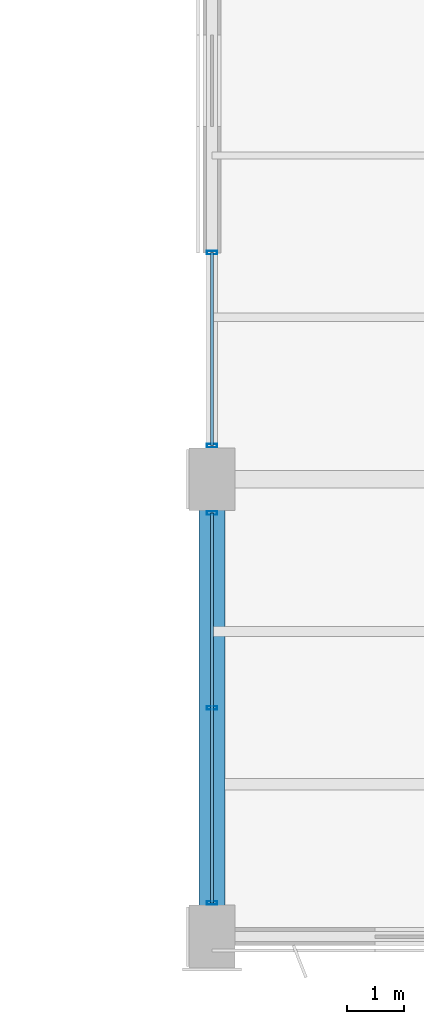
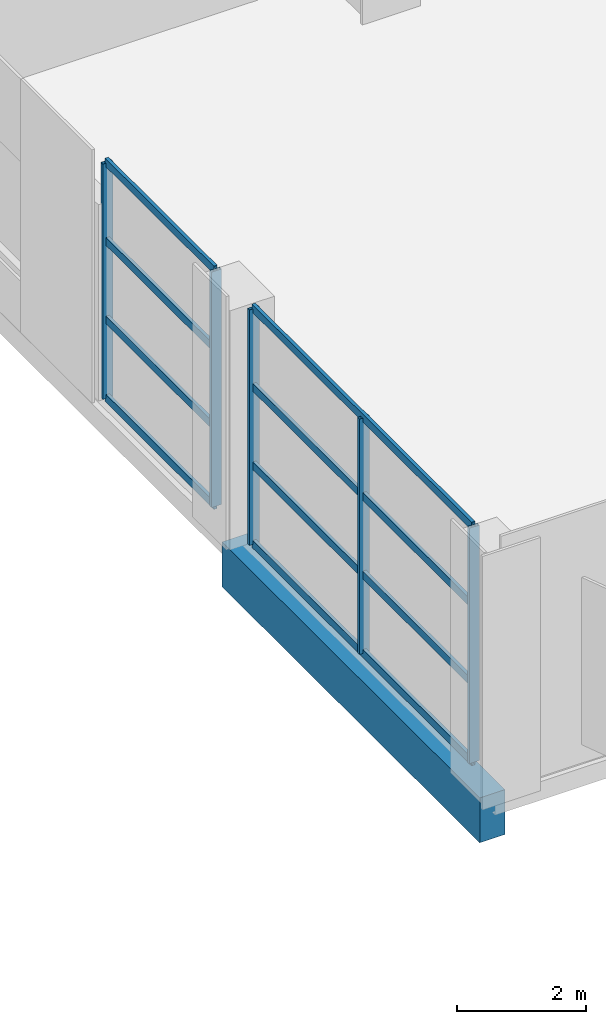
# One storey, part 29 of 101: 13 members, 1 beam, 2 elements without a shape of their own.
"""IFC4 building model written with IfcOpenShell, lengths in metres."""

from ifc_helpers import new_model, si_unit, direction, frame, origin, origin_2d, place, context, subcontext, project, spatial, rectangle, hollow_rectangle, extrude, material, material_profile, profile_set, type_object, element, aggregate, save


model = new_model("IFC4")

# Units and contexts
model_context = context("Model", 3, precision=1e-05, world=origin(), true_north=direction((0.0, 1.0)))
body_context = subcontext(model_context, "Body", "Model", "MODEL_VIEW")
ifc_project = project(units=[si_unit("LENGTHUNIT", "METRE"), si_unit("AREAUNIT", "SQUARE_METRE"), si_unit("VOLUMEUNIT", "CUBIC_METRE"), si_unit("PLANEANGLEUNIT", "RADIAN"), si_unit("MASSUNIT", "GRAM", prefix="KILO")], contexts=[model_context])

# Site, building, storey
site_placement = place(None, origin())
site = spatial("IfcSite", under=ifc_project, at=site_placement, CompositionType="ELEMENT")
building_placement = place(site_placement, origin())
building = spatial("IfcBuilding", under=site, at=building_placement, Name="Solvikara Media Centre", CompositionType="ELEMENT")
storey_placement = place(building_placement, frame((0.0, 0.0, 10.199951171875)))
storey = spatial("IfcBuildingStorey", under=building, at=storey_placement, Name="L02", CompositionType="ELEMENT", Elevation=10.199951171875)

# Beam
ifc_material_1 = material(Name="Concrete fc' 35 MPa (C35/45)", Category="concrete")
ifc_material_profile_1 = material_profile(ifc_material_1, rectangle(XDim=0.449951171875, YDim=0.85009765625, at=origin_2d()), Name="RC 450x850")
ifc_profile_set_1 = profile_set([ifc_material_profile_1], Name="Concrete fc' 35 MPa (C35/45)")
beam_type = type_object("IfcBeamType", Name="BM-14", PredefinedType="SPANDREL", material=ifc_profile_set_1)
beam_placement = place(storey_placement, frame((127.5, 0.0, -0.6650390625), z_axis=(0.0, 1.0, 0.0), x_axis=(-1.0, 0.0, 0.0)))
element("IfcBeam", 1, at=beam_placement, inside=storey, type_object=beam_type, Name="B-L02-Y0974", PredefinedType="SPANDREL", context=body_context, shape_type="SweptSolid", body=[
    extrude(rectangle(XDim=0.449951171875, YDim=0.85009765625, at=origin_2d()), origin(), (0.0, 0.0, 1.0), 8.0),
])

# Curtain wall, members
ifc_material_2 = material(Name="Anodised aluminium EN AW-6063", Category="aluminium")
curtain_wall_type = type_object("IfcCurtainWallType", Name="CW-12", PredefinedType="NOTDEFINED", material=ifc_material_2)
curtain_wall_1_placement = place(storey_placement, origin())
curtain_wall_1 = element("IfcCurtainWall", 2, at=curtain_wall_1_placement, inside=storey, type_object=curtain_wall_type, Name="CW-L02-V5WS-S1", PredefinedType="NOTDEFINED")
ifc_material_profile_2 = material_profile(ifc_material_2, hollow_rectangle(XDim=0.06005859375, YDim=0.179931640625, WallThickness=0.00341796875, at=origin_2d()), Name="ALU-M 60x180x3.5")
ifc_profile_set_2 = profile_set([ifc_material_profile_2], Name="Anodised aluminium EN AW-6063")
member_type_1 = type_object("IfcMemberType", Name="MF-03", PredefinedType="MULLION", material=ifc_profile_set_2)
member_1_placement = place(storey_placement, frame((127.5, 0.590087890625, 0.02001953125), z_axis=(0.0, 0.0, 1.0), x_axis=(0.0, 1.0, 0.0)))
member_1 = element("IfcMember", 3, at=member_1_placement, type_object=member_type_1, Name="CW-L02-V5WS-S1-M00", PredefinedType="MULLION", context=body_context, shape_type="SweptSolid", body=[
    extrude(hollow_rectangle(XDim=0.06005859375, YDim=0.179931640625, WallThickness=0.00341796875, at=origin_2d()), origin(), (0.0, 0.0, 1.0), 4.4599609375),
])
member_2_placement = place(storey_placement, frame((127.5, 4.0, 0.02001953125), z_axis=(0.0, 0.0, 1.0), x_axis=(0.0, 1.0, 0.0)))
member_2 = element("IfcMember", 4, at=member_2_placement, type_object=member_type_1, Name="CW-L02-V5WS-S1-M01", PredefinedType="MULLION", context=body_context, shape_type="SweptSolid", body=[
    extrude(hollow_rectangle(XDim=0.06005859375, YDim=0.179931640625, WallThickness=0.00341796875, at=origin_2d()), origin(), (0.0, 0.0, 1.0), 4.4599609375),
])
member_3_placement = place(storey_placement, frame((127.5, 7.409912109375, 0.02001953125), z_axis=(0.0, 0.0, 1.0), x_axis=(0.0, 1.0, 0.0)))
member_3 = element("IfcMember", 5, at=member_3_placement, type_object=member_type_1, Name="CW-L02-V5WS-S1-M02", PredefinedType="MULLION", context=body_context, shape_type="SweptSolid", body=[
    extrude(hollow_rectangle(XDim=0.06005859375, YDim=0.179931640625, WallThickness=0.00341796875, at=origin_2d()), origin(), (0.0, 0.0, 1.0), 4.4599609375),
])

curtain_wall_2_placement = place(storey_placement, origin())
curtain_wall_2 = element("IfcCurtainWall", 6, at=curtain_wall_2_placement, inside=storey, type_object=curtain_wall_type, Name="CW-L02-V5WS-S2", PredefinedType="NOTDEFINED")
member_4_placement = place(storey_placement, frame((127.5, 8.590087890625, 0.02001953125), z_axis=(0.0, 0.0, 1.0), x_axis=(0.0, 1.0, 0.0)))
member_4 = element("IfcMember", 7, at=member_4_placement, type_object=member_type_1, Name="CW-L02-V5WS-S2-M00", PredefinedType="MULLION", context=body_context, shape_type="SweptSolid", body=[
    extrude(hollow_rectangle(XDim=0.06005859375, YDim=0.179931640625, WallThickness=0.00341796875, at=origin_2d()), origin(), (0.0, 0.0, 1.0), 4.4599609375),
])
member_5_placement = place(storey_placement, frame((127.5, 11.965087890625, 0.02001953125), z_axis=(0.0, 0.0, 1.0), x_axis=(0.0, 1.0, 0.0)))
member_5 = element("IfcMember", 8, at=member_5_placement, type_object=member_type_1, Name="CW-L02-V5WS-S2-M01", PredefinedType="MULLION", context=body_context, shape_type="SweptSolid", body=[
    extrude(hollow_rectangle(XDim=0.06005859375, YDim=0.179931640625, WallThickness=0.00341796875, at=origin_2d()), origin(), (0.0, 0.0, 1.0), 4.4599609375),
])

# Member
ifc_material_profile_3 = material_profile(ifc_material_2, hollow_rectangle(XDim=0.06005859375, YDim=0.14990234375, WallThickness=0.0029296875, at=origin_2d()), Name="ALU-T 60x150x3")
ifc_profile_set_3 = profile_set([ifc_material_profile_3], Name="Anodised aluminium EN AW-6063")
member_type_2 = type_object("IfcMemberType", Name="MF-09", PredefinedType="USERDEFINED", material=ifc_profile_set_3)
member_6_placement = place(storey_placement, frame((127.5, 0.590087890625, 0.02001953125), z_axis=(0.0, 1.0, 0.0), x_axis=(-1.0, 0.0, 0.0)))
member_6 = element("IfcMember", 9, at=member_6_placement, type_object=member_type_2, Name="CW-L02-V5WS-S1-T00", ObjectType="TRANSOM", PredefinedType="USERDEFINED", context=body_context, shape_type="SweptSolid", body=[
    extrude(hollow_rectangle(XDim=0.06005859375, YDim=0.14990234375, WallThickness=0.0029296875, at=origin_2d()), origin(), (0.0, 0.0, 1.0), 6.81982421875),
])

member_7_placement = place(storey_placement, frame((127.5, 0.590087890625, 1.507080078125), z_axis=(0.0, 1.0, 0.0), x_axis=(-1.0, 0.0, 0.0)))
member_7 = element("IfcMember", 10, at=member_7_placement, type_object=member_type_2, Name="CW-L02-V5WS-S1-T01", ObjectType="TRANSOM", PredefinedType="USERDEFINED", context=body_context, shape_type="SweptSolid", body=[
    extrude(hollow_rectangle(XDim=0.06005859375, YDim=0.14990234375, WallThickness=0.0029296875, at=origin_2d()), origin(), (0.0, 0.0, 1.0), 6.81982421875),
])

member_8_placement = place(storey_placement, frame((127.5, 0.590087890625, 2.9931640625), z_axis=(0.0, 1.0, 0.0), x_axis=(-1.0, 0.0, 0.0)))
member_8 = element("IfcMember", 11, at=member_8_placement, type_object=member_type_2, Name="CW-L02-V5WS-S1-T02", ObjectType="TRANSOM", PredefinedType="USERDEFINED", context=body_context, shape_type="SweptSolid", body=[
    extrude(hollow_rectangle(XDim=0.06005859375, YDim=0.14990234375, WallThickness=0.0029296875, at=origin_2d()), origin(), (0.0, 0.0, 1.0), 6.81982421875),
])

member_9_placement = place(storey_placement, frame((127.5, 0.590087890625, 4.47998046875), z_axis=(0.0, 1.0, 0.0), x_axis=(-1.0, 0.0, 0.0)))
member_9 = element("IfcMember", 12, at=member_9_placement, type_object=member_type_2, Name="CW-L02-V5WS-S1-T03", ObjectType="TRANSOM", PredefinedType="USERDEFINED", context=body_context, shape_type="SweptSolid", body=[
    extrude(hollow_rectangle(XDim=0.06005859375, YDim=0.14990234375, WallThickness=0.0029296875, at=origin_2d()), origin(), (0.0, 0.0, 1.0), 6.81982421875),
])

aggregate(curtain_wall_1, [member_1, member_2, member_3, member_6, member_7, member_8, member_9])

member_10_placement = place(storey_placement, frame((127.5, 8.590087890625, 0.02001953125), z_axis=(0.0, 1.0, 0.0), x_axis=(-1.0, 0.0, 0.0)))
member_10 = element("IfcMember", 13, at=member_10_placement, type_object=member_type_2, Name="CW-L02-V5WS-S2-T00", ObjectType="TRANSOM", PredefinedType="USERDEFINED", context=body_context, shape_type="SweptSolid", body=[
    extrude(hollow_rectangle(XDim=0.06005859375, YDim=0.14990234375, WallThickness=0.0029296875, at=origin_2d()), origin(), (0.0, 0.0, 1.0), 3.375),
])

member_11_placement = place(storey_placement, frame((127.5, 8.590087890625, 1.507080078125), z_axis=(0.0, 1.0, 0.0), x_axis=(-1.0, 0.0, 0.0)))
member_11 = element("IfcMember", 14, at=member_11_placement, type_object=member_type_2, Name="CW-L02-V5WS-S2-T01", ObjectType="TRANSOM", PredefinedType="USERDEFINED", context=body_context, shape_type="SweptSolid", body=[
    extrude(hollow_rectangle(XDim=0.06005859375, YDim=0.14990234375, WallThickness=0.0029296875, at=origin_2d()), origin(), (0.0, 0.0, 1.0), 3.375),
])

member_12_placement = place(storey_placement, frame((127.5, 8.590087890625, 2.9931640625), z_axis=(0.0, 1.0, 0.0), x_axis=(-1.0, 0.0, 0.0)))
member_12 = element("IfcMember", 15, at=member_12_placement, type_object=member_type_2, Name="CW-L02-V5WS-S2-T02", ObjectType="TRANSOM", PredefinedType="USERDEFINED", context=body_context, shape_type="SweptSolid", body=[
    extrude(hollow_rectangle(XDim=0.06005859375, YDim=0.14990234375, WallThickness=0.0029296875, at=origin_2d()), origin(), (0.0, 0.0, 1.0), 3.375),
])

member_13_placement = place(storey_placement, frame((127.5, 8.590087890625, 4.47998046875), z_axis=(0.0, 1.0, 0.0), x_axis=(-1.0, 0.0, 0.0)))
member_13 = element("IfcMember", 16, at=member_13_placement, type_object=member_type_2, Name="CW-L02-V5WS-S2-T03", ObjectType="TRANSOM", PredefinedType="USERDEFINED", context=body_context, shape_type="SweptSolid", body=[
    extrude(hollow_rectangle(XDim=0.06005859375, YDim=0.14990234375, WallThickness=0.0029296875, at=origin_2d()), origin(), (0.0, 0.0, 1.0), 3.375),
])

aggregate(curtain_wall_2, [member_4, member_5, member_10, member_11, member_12, member_13])

save(model, "model.ifc")
